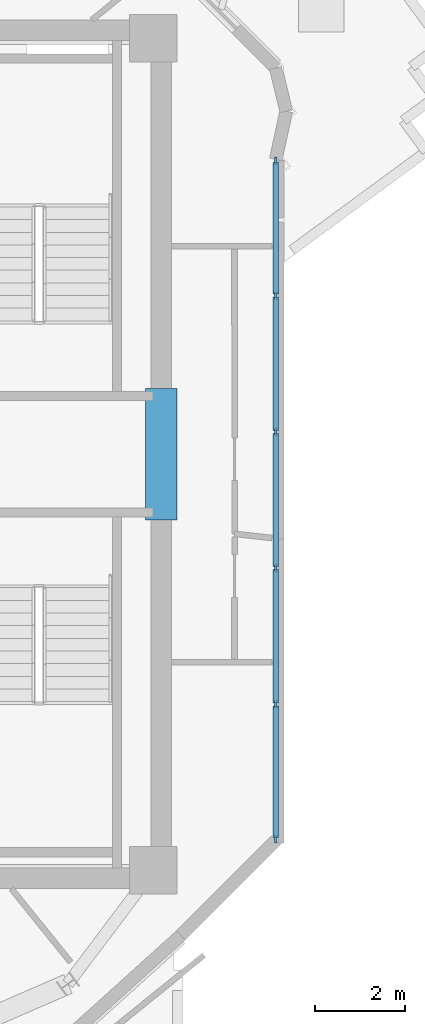
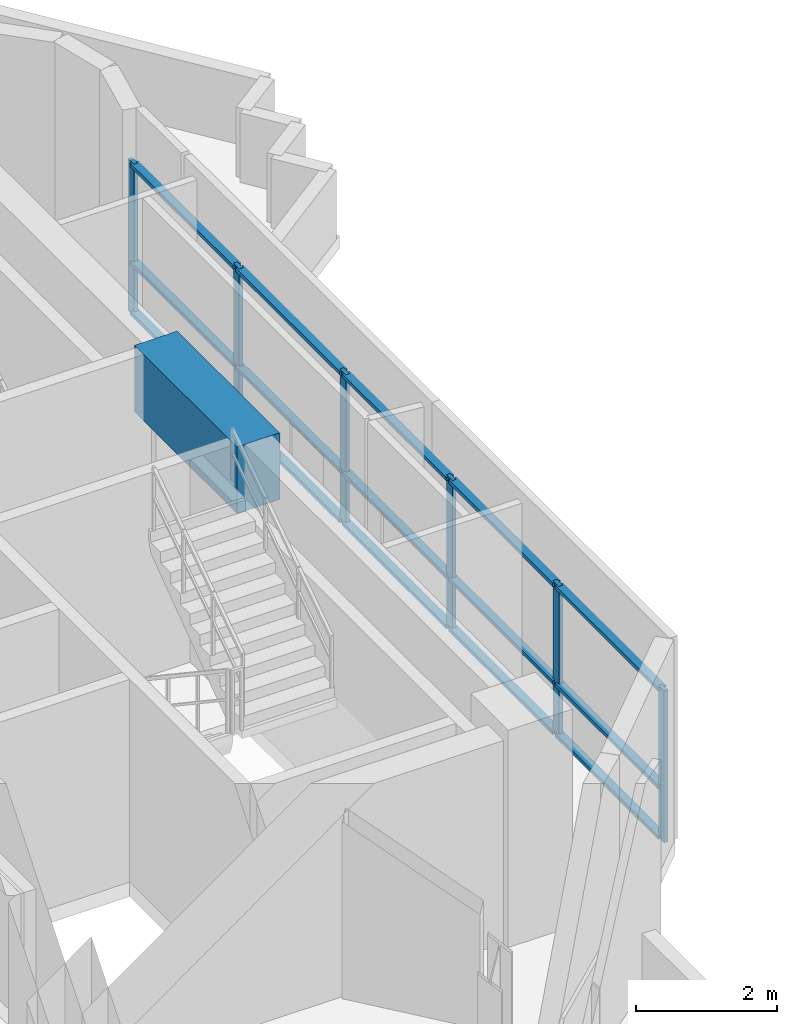
# One storey, part 4 of 12: 21 members, 1 beam, 1 element without a shape of its own.
"""IFC4 building model written with IfcOpenShell, lengths in metres."""

from ifc_helpers import new_model, si_unit, direction, frame, origin, origin_2d, place, context, subcontext, project, spatial, rectangle, extrude, source, transform, mapped, material, layer, layer_set, material_profile, profile_set, type_object, element, aggregate, save


model = new_model("IFC4")

# Units and contexts
model_context = context("Model", 3, precision=1e-05, world=origin(), true_north=direction((0.0, 1.0)))
body_context = subcontext(model_context, "Body", "Model", "MODEL_VIEW")
ifc_project = project(units=[si_unit("LENGTHUNIT", "METRE"), si_unit("AREAUNIT", "SQUARE_METRE"), si_unit("VOLUMEUNIT", "CUBIC_METRE"), si_unit("PLANEANGLEUNIT", "RADIAN"), si_unit("MASSUNIT", "GRAM", prefix="KILO")], contexts=[model_context])

# Site, building, storey
site_placement = place(None, origin())
site = spatial("IfcSite", under=ifc_project, at=site_placement, CompositionType="ELEMENT")
building_placement = place(site_placement, origin())
building = spatial("IfcBuilding", under=site, at=building_placement, Name="Zahravan Cultural Tower", CompositionType="ELEMENT")
storey_placement = place(building_placement, frame((0.0, 0.0, 280.35009765625)))
storey = spatial("IfcBuildingStorey", under=building, at=storey_placement, Name="L67", CompositionType="ELEMENT", Elevation=280.35009765625)

# Beam
ifc_material_1 = material(Name="Concrete C50/60", Category="concrete")
ifc_material_profile_1 = material_profile(ifc_material_1, rectangle(XDim=0.699951171875, YDim=1.14990234375, at=origin_2d()), Name="RC700X1150")
ifc_profile_set_1 = profile_set([ifc_material_profile_1], Name="Concrete C50/60")
beam_type = type_object("IfcBeamType", Name="BM-LN-RC700X1150", PredefinedType="LINTEL", material=ifc_profile_set_1)
shared_shape_1 = source(origin(), body_context, "Body", "SweptSolid", [
    extrude(rectangle(XDim=0.699951171875, YDim=1.14990234375, at=origin_2d()), origin(), (0.0, 0.0, 1.0), 2.89990234375),
])
beam_placement = place(storey_placement, frame((50.52490234375, 25.550048828125, 2.9248046875), z_axis=(0.0, 1.0, 0.0), x_axis=(-1.0, 0.0, 0.0)))
element("IfcBeam", 1, at=beam_placement, inside=storey, type_object=beam_type, Name="L67 Beam LN-L67-PEE", PredefinedType="LINTEL", context=body_context, shape_type="MappedRepresentation", body=[
    mapped(shared_shape_1, transform((0.0, 0.0, 0.0), x_axis=(1.0, 0.0, 0.0), y_axis=(0.0, 1.0, 0.0), z_axis=(0.0, 0.0, 1.0), scale=1.0)),
])

# Curtain wall, members
ifc_material_2 = material(Name="Anodised bronze-aluminium mullion", Category="aluminium")
ifc_layer = layer(ifc_material_2, 0.1650390625)
ifc_layer_set = layer_set([ifc_layer], Name="Anodised bronze-aluminium mullion")
curtain_wall_type = type_object("IfcCurtainWallType", Name="CW-SYS-4", PredefinedType="USERDEFINED", material=ifc_layer_set)
curtain_wall_placement = place(storey_placement, origin())
curtain_wall = element("IfcCurtainWall", 2, at=curtain_wall_placement, inside=storey, type_object=curtain_wall_type, Name="L67 Recessed Curtain Wall CW-4.2", ObjectType="RECESSED GLAZING", PredefinedType="USERDEFINED")
ifc_material_profile_2 = material_profile(ifc_material_2, rectangle(XDim=0.06494140625, YDim=0.1650390625, at=origin_2d()), Name="AL-M65X165")
ifc_profile_set_2 = profile_set([ifc_material_profile_2], Name="Anodised bronze-aluminium mullion")
member_type_1 = type_object("IfcMemberType", Name="CWM-CW-4", PredefinedType="MULLION", material=ifc_profile_set_2)
shared_shape_2 = source(origin(), body_context, "Body", "SweptSolid", [
    extrude(rectangle(XDim=0.06494140625, YDim=0.1650390625, at=origin_2d()), origin(), (0.0, 0.0, 1.0), 2.619873046875),
])
member_1_placement = place(storey_placement, frame((53.06005859375, 33.48828125, 0.0), z_axis=(0.0, 0.0, 1.0), x_axis=(1.0, 0.0, 0.0)))
member_1 = element("IfcMember", 3, at=member_1_placement, type_object=member_type_1, Name="CW-4 mullion 1", PredefinedType="MULLION", context=body_context, shape_type="MappedRepresentation", body=[
    mapped(shared_shape_2, transform((0.0, 0.0, 0.0), x_axis=(1.0, 0.0, 0.0), y_axis=(0.0, 1.0, 0.0), z_axis=(0.0, 0.0, 1.0), scale=1.0)),
])
member_2_placement = place(storey_placement, frame((53.06005859375, 30.50830078125, 0.0), z_axis=(0.0, 0.0, 1.0), x_axis=(1.0, 0.0, 0.0)))
member_2 = element("IfcMember", 4, at=member_2_placement, type_object=member_type_1, Name="CW-4 mullion 2", PredefinedType="MULLION", context=body_context, shape_type="MappedRepresentation", body=[
    mapped(shared_shape_2, transform((0.0, 0.0, 0.0), x_axis=(1.0, 0.0, 0.0), y_axis=(0.0, 1.0, 0.0), z_axis=(0.0, 0.0, 1.0), scale=1.0)),
])
member_3_placement = place(storey_placement, frame((53.06005859375, 27.49560546875, 0.0), z_axis=(0.0, 0.0, 1.0), x_axis=(1.0, 0.0, 0.0)))
member_3 = element("IfcMember", 5, at=member_3_placement, type_object=member_type_1, Name="CW-4 mullion 3", PredefinedType="MULLION", context=body_context, shape_type="MappedRepresentation", body=[
    mapped(shared_shape_2, transform((0.0, 0.0, 0.0), x_axis=(1.0, 0.0, 0.0), y_axis=(0.0, 1.0, 0.0), z_axis=(0.0, 0.0, 1.0), scale=1.0)),
])
member_4_placement = place(storey_placement, frame((53.06005859375, 24.483154296875, 0.0), z_axis=(0.0, 0.0, 1.0), x_axis=(1.0, 0.0, 0.0)))
member_4 = element("IfcMember", 6, at=member_4_placement, type_object=member_type_1, Name="CW-4 mullion 4", PredefinedType="MULLION", context=body_context, shape_type="MappedRepresentation", body=[
    mapped(shared_shape_2, transform((0.0, 0.0, 0.0), x_axis=(1.0, 0.0, 0.0), y_axis=(0.0, 1.0, 0.0), z_axis=(0.0, 0.0, 1.0), scale=1.0)),
])
member_5_placement = place(storey_placement, frame((53.06005859375, 21.470458984375, 0.0), z_axis=(0.0, 0.0, 1.0), x_axis=(1.0, 0.0, 0.0)))
member_5 = element("IfcMember", 7, at=member_5_placement, type_object=member_type_1, Name="CW-4 mullion 5", PredefinedType="MULLION", context=body_context, shape_type="MappedRepresentation", body=[
    mapped(shared_shape_2, transform((0.0, 0.0, 0.0), x_axis=(1.0, 0.0, 0.0), y_axis=(0.0, 1.0, 0.0), z_axis=(0.0, 0.0, 1.0), scale=1.0)),
])
member_6_placement = place(storey_placement, frame((53.06005859375, 18.490478515625, 0.0), z_axis=(0.0, 0.0, 1.0), x_axis=(1.0, 0.0, 0.0)))
member_6 = element("IfcMember", 8, at=member_6_placement, type_object=member_type_1, Name="CW-4 mullion 6", PredefinedType="MULLION", context=body_context, shape_type="MappedRepresentation", body=[
    mapped(shared_shape_2, transform((0.0, 0.0, 0.0), x_axis=(1.0, 0.0, 0.0), y_axis=(0.0, 1.0, 0.0), z_axis=(0.0, 0.0, 1.0), scale=1.0)),
])
ifc_material_profile_3 = material_profile(ifc_material_2, rectangle(XDim=0.1298828125, YDim=0.06494140625, at=origin_2d()), Name="AL-T65X130")
ifc_profile_set_3 = profile_set([ifc_material_profile_3], Name="Anodised bronze-aluminium mullion")
member_type_2 = type_object("IfcMemberType", Name="CWT-CW-4", PredefinedType="USERDEFINED", material=ifc_profile_set_3)
shared_shape_3 = source(origin(), body_context, "Body", "SweptSolid", [
    extrude(rectangle(XDim=0.1298828125, YDim=0.06494140625, at=origin_2d()), origin(), (0.0, 0.0, 1.0), 2.9150390625),
])
member_7_placement = place(storey_placement, frame((53.06005859375, 33.455810546875, 0.032470703125), z_axis=(0.0, -1.0, 0.0), x_axis=(1.0, 0.0, 0.0)))
member_7 = element("IfcMember", 9, at=member_7_placement, type_object=member_type_2, Name="CW-4 transom 1.1", ObjectType="TRANSOM", PredefinedType="USERDEFINED", context=body_context, shape_type="MappedRepresentation", body=[
    mapped(shared_shape_3, transform((0.0, 0.0, 0.0), x_axis=(1.0, 0.0, 0.0), y_axis=(0.0, 1.0, 0.0), z_axis=(0.0, 0.0, 1.0), scale=1.0)),
])
member_8_placement = place(storey_placement, frame((53.06005859375, 33.455810546875, 0.89990234375), z_axis=(0.0, -1.0, 0.0), x_axis=(1.0, 0.0, 0.0)))
member_8 = element("IfcMember", 10, at=member_8_placement, type_object=member_type_2, Name="CW-4 transom 1.2", ObjectType="TRANSOM", PredefinedType="USERDEFINED", context=body_context, shape_type="MappedRepresentation", body=[
    mapped(shared_shape_3, transform((0.0, 0.0, 0.0), x_axis=(1.0, 0.0, 0.0), y_axis=(0.0, 1.0, 0.0), z_axis=(0.0, 0.0, 1.0), scale=1.0)),
])
member_9_placement = place(storey_placement, frame((53.06005859375, 33.455810546875, 2.58740234375), z_axis=(0.0, -1.0, 0.0), x_axis=(1.0, 0.0, 0.0)))
member_9 = element("IfcMember", 11, at=member_9_placement, type_object=member_type_2, Name="CW-4 transom 1.3", ObjectType="TRANSOM", PredefinedType="USERDEFINED", context=body_context, shape_type="MappedRepresentation", body=[
    mapped(shared_shape_3, transform((0.0, 0.0, 0.0), x_axis=(1.0, 0.0, 0.0), y_axis=(0.0, 1.0, 0.0), z_axis=(0.0, 0.0, 1.0), scale=1.0)),
])
member_10_placement = place(storey_placement, frame((53.06005859375, 21.43798828125, 0.032470703125), z_axis=(0.0, -1.0, 0.0), x_axis=(1.0, 0.0, 0.0)))
member_10 = element("IfcMember", 12, at=member_10_placement, type_object=member_type_2, Name="CW-4 transom 5.1", ObjectType="TRANSOM", PredefinedType="USERDEFINED", context=body_context, shape_type="MappedRepresentation", body=[
    mapped(shared_shape_3, transform((0.0, 0.0, 0.0), x_axis=(1.0, 0.0, 0.0), y_axis=(0.0, 1.0, 0.0), z_axis=(0.0, 0.0, 1.0), scale=1.0)),
])
member_11_placement = place(storey_placement, frame((53.06005859375, 21.43798828125, 0.89990234375), z_axis=(0.0, -1.0, 0.0), x_axis=(1.0, 0.0, 0.0)))
member_11 = element("IfcMember", 13, at=member_11_placement, type_object=member_type_2, Name="CW-4 transom 5.2", ObjectType="TRANSOM", PredefinedType="USERDEFINED", context=body_context, shape_type="MappedRepresentation", body=[
    mapped(shared_shape_3, transform((0.0, 0.0, 0.0), x_axis=(1.0, 0.0, 0.0), y_axis=(0.0, 1.0, 0.0), z_axis=(0.0, 0.0, 1.0), scale=1.0)),
])
member_12_placement = place(storey_placement, frame((53.06005859375, 21.43798828125, 2.58740234375), z_axis=(0.0, -1.0, 0.0), x_axis=(1.0, 0.0, 0.0)))
member_12 = element("IfcMember", 14, at=member_12_placement, type_object=member_type_2, Name="CW-4 transom 5.3", ObjectType="TRANSOM", PredefinedType="USERDEFINED", context=body_context, shape_type="MappedRepresentation", body=[
    mapped(shared_shape_3, transform((0.0, 0.0, 0.0), x_axis=(1.0, 0.0, 0.0), y_axis=(0.0, 1.0, 0.0), z_axis=(0.0, 0.0, 1.0), scale=1.0)),
])
shared_shape_4 = source(origin(), body_context, "Body", "SweptSolid", [
    extrude(rectangle(XDim=0.1298828125, YDim=0.06494140625, at=origin_2d()), origin(), (0.0, 0.0, 1.0), 2.94775390625),
])
member_13_placement = place(storey_placement, frame((53.06005859375, 30.475830078125, 0.032470703125), z_axis=(0.0, -1.0, 0.0), x_axis=(1.0, 0.0, 0.0)))
member_13 = element("IfcMember", 15, at=member_13_placement, type_object=member_type_2, Name="CW-4 transom 2.1", ObjectType="TRANSOM", PredefinedType="USERDEFINED", context=body_context, shape_type="MappedRepresentation", body=[
    mapped(shared_shape_4, transform((0.0, 0.0, 0.0), x_axis=(1.0, 0.0, 0.0), y_axis=(0.0, 1.0, 0.0), z_axis=(0.0, 0.0, 1.0), scale=1.0)),
])
member_14_placement = place(storey_placement, frame((53.06005859375, 30.475830078125, 0.89990234375), z_axis=(0.0, -1.0, 0.0), x_axis=(1.0, 0.0, 0.0)))
member_14 = element("IfcMember", 16, at=member_14_placement, type_object=member_type_2, Name="CW-4 transom 2.2", ObjectType="TRANSOM", PredefinedType="USERDEFINED", context=body_context, shape_type="MappedRepresentation", body=[
    mapped(shared_shape_4, transform((0.0, 0.0, 0.0), x_axis=(1.0, 0.0, 0.0), y_axis=(0.0, 1.0, 0.0), z_axis=(0.0, 0.0, 1.0), scale=1.0)),
])
member_15_placement = place(storey_placement, frame((53.06005859375, 30.475830078125, 2.58740234375), z_axis=(0.0, -1.0, 0.0), x_axis=(1.0, 0.0, 0.0)))
member_15 = element("IfcMember", 17, at=member_15_placement, type_object=member_type_2, Name="CW-4 transom 2.3", ObjectType="TRANSOM", PredefinedType="USERDEFINED", context=body_context, shape_type="MappedRepresentation", body=[
    mapped(shared_shape_4, transform((0.0, 0.0, 0.0), x_axis=(1.0, 0.0, 0.0), y_axis=(0.0, 1.0, 0.0), z_axis=(0.0, 0.0, 1.0), scale=1.0)),
])
shared_shape_5 = source(origin(), body_context, "Body", "SweptSolid", [
    extrude(rectangle(XDim=0.1298828125, YDim=0.06494140625, at=origin_2d()), origin(), (0.0, 0.0, 1.0), 2.947509765625),
])
member_16_placement = place(storey_placement, frame((53.06005859375, 27.463134765625, 0.032470703125), z_axis=(0.0, -1.0, 0.0), x_axis=(1.0, 0.0, 0.0)))
member_16 = element("IfcMember", 18, at=member_16_placement, type_object=member_type_2, Name="CW-4 transom 3.1", ObjectType="TRANSOM", PredefinedType="USERDEFINED", context=body_context, shape_type="MappedRepresentation", body=[
    mapped(shared_shape_5, transform((0.0, 0.0, 0.0), x_axis=(1.0, 0.0, 0.0), y_axis=(0.0, 1.0, 0.0), z_axis=(0.0, 0.0, 1.0), scale=1.0)),
])
member_17_placement = place(storey_placement, frame((53.06005859375, 27.463134765625, 0.89990234375), z_axis=(0.0, -1.0, 0.0), x_axis=(1.0, 0.0, 0.0)))
member_17 = element("IfcMember", 19, at=member_17_placement, type_object=member_type_2, Name="CW-4 transom 3.2", ObjectType="TRANSOM", PredefinedType="USERDEFINED", context=body_context, shape_type="MappedRepresentation", body=[
    mapped(shared_shape_5, transform((0.0, 0.0, 0.0), x_axis=(1.0, 0.0, 0.0), y_axis=(0.0, 1.0, 0.0), z_axis=(0.0, 0.0, 1.0), scale=1.0)),
])
member_18_placement = place(storey_placement, frame((53.06005859375, 27.463134765625, 2.58740234375), z_axis=(0.0, -1.0, 0.0), x_axis=(1.0, 0.0, 0.0)))
member_18 = element("IfcMember", 20, at=member_18_placement, type_object=member_type_2, Name="CW-4 transom 3.3", ObjectType="TRANSOM", PredefinedType="USERDEFINED", context=body_context, shape_type="MappedRepresentation", body=[
    mapped(shared_shape_5, transform((0.0, 0.0, 0.0), x_axis=(1.0, 0.0, 0.0), y_axis=(0.0, 1.0, 0.0), z_axis=(0.0, 0.0, 1.0), scale=1.0)),
])
member_19_placement = place(storey_placement, frame((53.06005859375, 24.45068359375, 0.032470703125), z_axis=(0.0, -1.0, 0.0), x_axis=(1.0, 0.0, 0.0)))
member_19 = element("IfcMember", 21, at=member_19_placement, type_object=member_type_2, Name="CW-4 transom 4.1", ObjectType="TRANSOM", PredefinedType="USERDEFINED", context=body_context, shape_type="MappedRepresentation", body=[
    mapped(shared_shape_5, transform((0.0, 0.0, 0.0), x_axis=(1.0, 0.0, 0.0), y_axis=(0.0, 1.0, 0.0), z_axis=(0.0, 0.0, 1.0), scale=1.0)),
])
member_20_placement = place(storey_placement, frame((53.06005859375, 24.45068359375, 0.89990234375), z_axis=(0.0, -1.0, 0.0), x_axis=(1.0, 0.0, 0.0)))
member_20 = element("IfcMember", 22, at=member_20_placement, type_object=member_type_2, Name="CW-4 transom 4.2", ObjectType="TRANSOM", PredefinedType="USERDEFINED", context=body_context, shape_type="MappedRepresentation", body=[
    mapped(shared_shape_5, transform((0.0, 0.0, 0.0), x_axis=(1.0, 0.0, 0.0), y_axis=(0.0, 1.0, 0.0), z_axis=(0.0, 0.0, 1.0), scale=1.0)),
])
member_21_placement = place(storey_placement, frame((53.06005859375, 24.45068359375, 2.58740234375), z_axis=(0.0, -1.0, 0.0), x_axis=(1.0, 0.0, 0.0)))
member_21 = element("IfcMember", 23, at=member_21_placement, type_object=member_type_2, Name="CW-4 transom 4.3", ObjectType="TRANSOM", PredefinedType="USERDEFINED", context=body_context, shape_type="MappedRepresentation", body=[
    mapped(shared_shape_5, transform((0.0, 0.0, 0.0), x_axis=(1.0, 0.0, 0.0), y_axis=(0.0, 1.0, 0.0), z_axis=(0.0, 0.0, 1.0), scale=1.0)),
])
aggregate(curtain_wall, [member_1, member_2, member_3, member_4, member_5, member_6, member_7, member_8, member_9, member_13, member_14, member_15, member_16, member_17, member_18, member_19, member_20, member_21, member_10, member_11, member_12])

save(model, "model.ifc")
